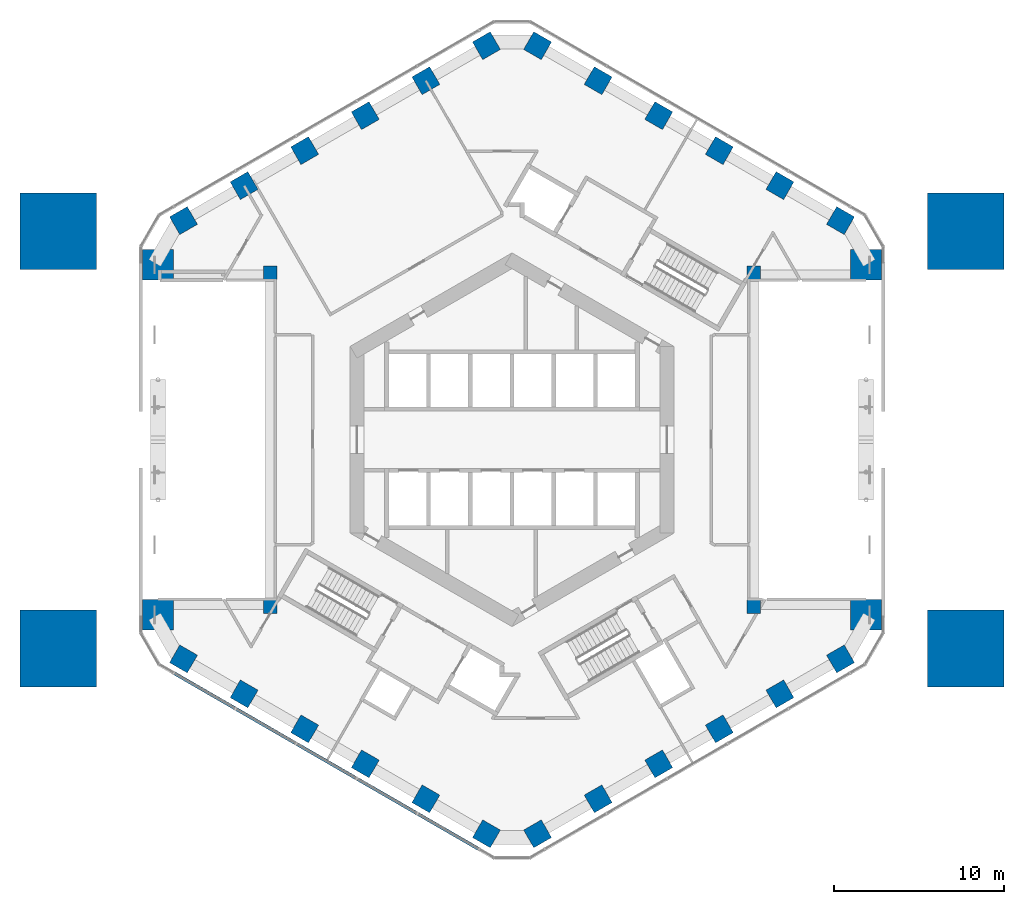
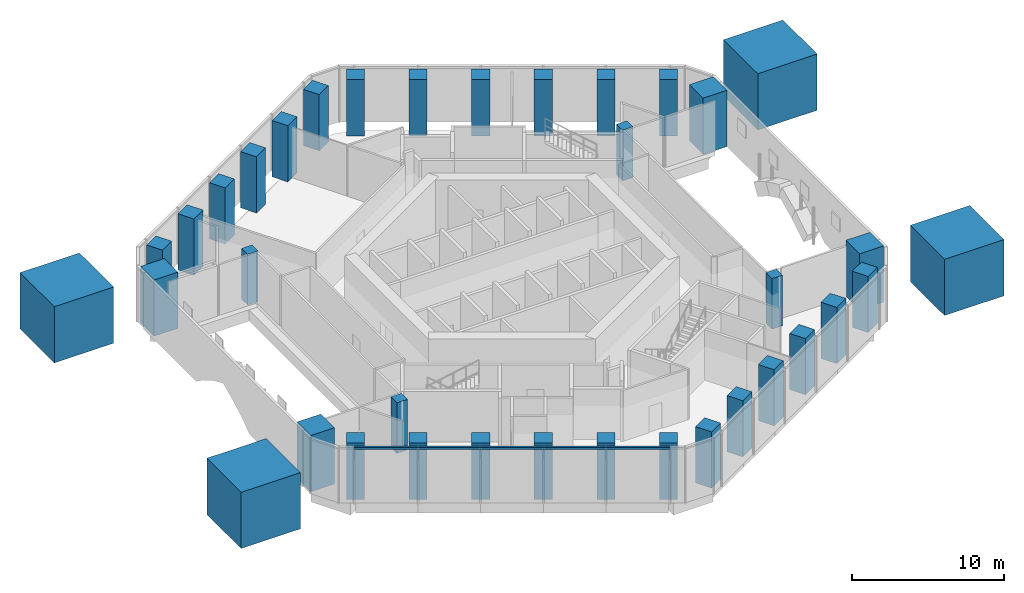
# One storey, part 1 of 14: 36 columns, 1 member, 1 element without a shape of its own.
"""IFC4 building model written with IfcOpenShell, lengths in metres."""

from ifc_helpers import new_model, si_unit, direction, frame, origin, origin_2d, place, context, subcontext, project, spatial, rectangle, extrude, material, layer, layer_set, material_profile, profile_set, type_object, element, aggregate, save


model = new_model("IFC4")

# Units and contexts
model_context = context("Model", 3, precision=1e-05, world=origin(), true_north=direction((0.0, 1.0)))
body_context = subcontext(model_context, "Body", "Model", "MODEL_VIEW")
ifc_project = project(units=[si_unit("LENGTHUNIT", "METRE"), si_unit("AREAUNIT", "SQUARE_METRE"), si_unit("VOLUMEUNIT", "CUBIC_METRE"), si_unit("PLANEANGLEUNIT", "RADIAN"), si_unit("MASSUNIT", "GRAM", prefix="KILO")], contexts=[model_context])

# Site, building, storey
site_placement = place(None, origin())
site = spatial("IfcSite", under=ifc_project, at=site_placement, CompositionType="ELEMENT")
building_placement = place(site_placement, origin())
building = spatial("IfcBuilding", under=site, at=building_placement, Name="Ayvan Gate Tower", CompositionType="ELEMENT")
storey_placement = place(building_placement, frame((0.0, 0.0, 16.0)))
storey = spatial("IfcBuildingStorey", under=building, at=storey_placement, Name="L03", CompositionType="ELEMENT", Elevation=16.0)

# Columns
ifc_material_1 = material(Name="Concrete C70/85", Category="concrete")
ifc_material_profile_1 = material_profile(ifc_material_1, rectangle(XDim=0.800048828125, YDim=0.800048828125, at=origin_2d()), Name="RC 800x800")
ifc_profile_set_1 = profile_set([ifc_material_profile_1], Name="Concrete C70/85")
column_type_1 = type_object("IfcColumnType", Name="Opening jamb column RC 800x800 C70/85", PredefinedType="COLUMN", material=ifc_profile_set_1)
for number, where, z_axis, x_axis, name in (
    (1, (14.199951171875, -9.7978515625, 0.0), (0.0, 0.0, 1.0), (1.0, 0.0, 0.0), "JC-L03-0-A"),
    (2, (14.199951171875, 9.7978515625, 0.0), (0.0, 0.0, 1.0), (1.0, 0.0, 0.0), "JC-L03-0-B"),
    (3, (-14.199951171875, 9.7978515625, 0.0), (0.0, 0.0, 1.0), (-1.0, 0.0, 0.0), "JC-L03-3-A"),
    (4, (-14.199951171875, -9.7978515625, 0.0), (0.0, 0.0, 1.0), (-1.0, 0.0, 0.0), "JC-L03-3-B"),
):
    element("IfcColumn", number, at=place(storey_placement, frame(where, z_axis=z_axis, x_axis=x_axis)), inside=storey, type_object=column_type_1, Name=name, PredefinedType="COLUMN", context=body_context, shape_type="SweptSolid", body=[
        extrude(rectangle(XDim=0.800048828125, YDim=0.800048828125, at=origin_2d()), origin(), (0.0, 0.0, 1.0), 4.050048828125),
    ])
ifc_material_2 = material(Name="Concrete C60/75", Category="concrete")
ifc_material_profile_2 = material_profile(ifc_material_2, rectangle(XDim=4.5, YDim=4.5, at=origin_2d()), Name="RC 4500x4500")
ifc_profile_set_2 = profile_set([ifc_material_profile_2], Name="Concrete C60/75")
column_type_2 = type_object("IfcColumnType", Name="Portal pier RC 4500x4500 C60/75", PredefinedType="COLUMN", material=ifc_profile_set_2)
for number, where, z_axis, x_axis, name in (
    (5, (26.634521484375, 12.25, 0.0), (0.0, 0.0, 1.0), (1.0, 0.0, 0.0), "Portal pier PP-E-N L03"),
    (6, (26.634521484375, -12.25, 0.0), (0.0, 0.0, 1.0), (1.0, 0.0, 0.0), "Portal pier PP-E-S L03"),
    (7, (-26.634521484375, -12.25, 0.0), (0.0, 0.0, 1.0), (-1.0, 0.0, 0.0), "Portal pier PP-W-S L03"),
    (8, (-26.634521484375, 12.25, 0.0), (0.0, 0.0, 1.0), (-1.0, 0.0, 0.0), "Portal pier PP-W-N L03"),
):
    element("IfcColumn", number, at=place(storey_placement, frame(where, z_axis=z_axis, x_axis=x_axis)), inside=storey, type_object=column_type_2, Name=name, PredefinedType="COLUMN", context=body_context, shape_type="SweptSolid", body=[
        extrude(rectangle(XDim=4.5, YDim=4.5, at=origin_2d()), origin(), (0.0, 0.0, 1.0), 4.5),
    ])
ifc_material_profile_3 = material_profile(ifc_material_1, rectangle(XDim=1.199951171875, YDim=1.199951171875, at=origin_2d()), Name="RC 1200x1200")
ifc_profile_set_3 = profile_set([ifc_material_profile_3], Name="Concrete C70/85")
column_type_3 = type_object("IfcColumnType", Name="Tube column RC 1200x1200 C70/85", PredefinedType="COLUMN", material=ifc_profile_set_3)
for number, where, z_axis, x_axis, name in (
    (9, (19.28466796875, 12.865966796875, 0.0), (0.0, 0.0, 1.0), (0.5, 0.866025403784, 0.0), "C-T1-0-L03"),
    (10, (15.727783203125, 14.919677734375, 0.0), (0.0, 0.0, 1.0), (0.5, 0.866025403784, 0.0), "C-T1-1-L03"),
    (11, (12.170654296875, 16.97314453125, 0.0), (0.0, 0.0, 1.0), (0.5, 0.866025403784, 0.0), "C-T1-2-L03"),
    (12, (8.61376953125, 19.02685546875, 0.0), (0.0, 0.0, 1.0), (0.5, 0.866025403784, 0.0), "C-T1-3-L03"),
    (13, (5.056884765625, 21.080322265625, 0.0), (0.0, 0.0, 1.0), (0.5, 0.866025403784, 0.0), "C-T1-4-L03"),
    (14, (1.5, 23.134033203125, 0.0), (0.0, 0.0, 1.0), (0.5, 0.866025403784, 0.0), "C-T1-5-L03"),
    (15, (-1.5, 23.134033203125, 0.0), (0.0, 0.0, 1.0), (-0.5, 0.866025403784, 0.0), "C-T2-0-L03"),
    (16, (-5.056884765625, 21.080322265625, 0.0), (0.0, 0.0, 1.0), (-0.5, 0.866025403784, 0.0), "C-T2-1-L03"),
    (17, (-8.61376953125, 19.02685546875, 0.0), (0.0, 0.0, 1.0), (-0.5, 0.866025403784, 0.0), "C-T2-2-L03"),
    (18, (-12.170654296875, 16.97314453125, 0.0), (0.0, 0.0, 1.0), (-0.5, 0.866025403784, 0.0), "C-T2-3-L03"),
    (19, (-15.727783203125, 14.919677734375, 0.0), (0.0, 0.0, 1.0), (-0.5, 0.866025403784, 0.0), "C-T2-4-L03"),
    (20, (-19.28466796875, 12.865966796875, 0.0), (0.0, 0.0, 1.0), (-0.5, 0.866025403784, 0.0), "C-T2-5-L03"),
    (21, (-19.28466796875, -12.865966796875, 0.0), (0.0, 0.0, 1.0), (-0.5, -0.866025403784, 0.0), "C-T4-0-L03"),
    (22, (-15.727783203125, -14.919677734375, 0.0), (0.0, 0.0, 1.0), (-0.5, -0.866025403784, 0.0), "C-T4-1-L03"),
    (23, (-12.170654296875, -16.97314453125, 0.0), (0.0, 0.0, 1.0), (-0.5, -0.866025403784, 0.0), "C-T4-2-L03"),
    (24, (-8.61376953125, -19.02685546875, 0.0), (0.0, 0.0, 1.0), (-0.5, -0.866025403784, 0.0), "C-T4-3-L03"),
    (25, (-5.056884765625, -21.080322265625, 0.0), (0.0, 0.0, 1.0), (-0.5, -0.866025403784, 0.0), "C-T4-4-L03"),
    (26, (-1.5, -23.134033203125, 0.0), (0.0, 0.0, 1.0), (-0.5, -0.866025403784, 0.0), "C-T4-5-L03"),
    (27, (1.5, -23.134033203125, 0.0), (0.0, 0.0, 1.0), (0.5, -0.866025403784, 0.0), "C-T5-0-L03"),
    (28, (5.056884765625, -21.080322265625, 0.0), (0.0, 0.0, 1.0), (0.5, -0.866025403784, 0.0), "C-T5-1-L03"),
    (29, (8.61376953125, -19.02685546875, 0.0), (0.0, 0.0, 1.0), (0.5, -0.866025403784, 0.0), "C-T5-2-L03"),
    (30, (12.170654296875, -16.97314453125, 0.0), (0.0, 0.0, 1.0), (0.5, -0.866025403784, 0.0), "C-T5-3-L03"),
    (31, (15.727783203125, -14.919677734375, 0.0), (0.0, 0.0, 1.0), (0.5, -0.866025403784, 0.0), "C-T5-4-L03"),
    (32, (19.28466796875, -12.865966796875, 0.0), (0.0, 0.0, 1.0), (0.5, -0.866025403784, 0.0), "C-T5-5-L03"),
):
    element("IfcColumn", number, at=place(storey_placement, frame(where, z_axis=z_axis, x_axis=x_axis)), inside=storey, type_object=column_type_3, Name=name, PredefinedType="COLUMN", context=body_context, shape_type="SweptSolid", body=[
        extrude(rectangle(XDim=1.199951171875, YDim=1.199951171875, at=origin_2d()), origin(), (0.0, 0.0, 1.0), 4.5),
    ])
ifc_material_profile_4 = material_profile(ifc_material_1, rectangle(XDim=1.800048828125, YDim=1.800048828125, at=origin_2d()), Name="RC 1800x1800")
ifc_profile_set_4 = profile_set([ifc_material_profile_4], Name="Concrete C70/85")
column_type_4 = type_object("IfcColumnType", Name="Tube column RC 1800x1800 C70/85", PredefinedType="COLUMN", material=ifc_profile_set_4)
for number, where, z_axis, x_axis, name in (
    (33, (20.78466796875, -10.26806640625, 0.0), (0.0, 0.0, 1.0), (1.0, 0.0, 0.0), "C-T0-0-L03"),
    (34, (20.78466796875, 10.26806640625, 0.0), (0.0, 0.0, 1.0), (1.0, 0.0, 0.0), "C-T0-5-L03"),
    (35, (-20.78466796875, 10.26806640625, 0.0), (0.0, 0.0, 1.0), (-1.0, 0.0, 0.0), "C-T3-0-L03"),
    (36, (-20.78466796875, -10.26806640625, 0.0), (0.0, 0.0, 1.0), (-1.0, 0.0, 0.0), "C-T3-5-L03"),
):
    element("IfcColumn", number, at=place(storey_placement, frame(where, z_axis=z_axis, x_axis=x_axis)), inside=storey, type_object=column_type_4, Name=name, PredefinedType="COLUMN", context=body_context, shape_type="SweptSolid", body=[
        extrude(rectangle(XDim=1.800048828125, YDim=1.800048828125, at=origin_2d()), origin(), (0.0, 0.0, 1.0), 4.5),
    ])

# Curtain wall, member
ifc_material_3 = material(Name="Bronze anodised aluminium", Category="aluminium")
ifc_layer = layer(ifc_material_3, 0.199951171875)
ifc_layer_set = layer_set([ifc_layer], Name="Bronze anodised aluminium")
curtain_wall_type = type_object("IfcCurtainWallType", Name="Stick curtain wall CW-3", PredefinedType="NOTDEFINED", material=ifc_layer_set)
curtain_wall_placement = place(storey_placement, origin())
curtain_wall = element("IfcCurtainWall", 37, at=curtain_wall_placement, inside=storey, type_object=curtain_wall_type, Name="Stick curtain wall CW-3 L03", PredefinedType="NOTDEFINED")
ifc_material_profile_5 = material_profile(ifc_material_3, rectangle(XDim=0.199951171875, YDim=0.159912109375, at=origin_2d()), Name="Stick curtain wall CW-3 transom 200 x 160")
ifc_profile_set_5 = profile_set([ifc_material_profile_5], Name="Bronze anodised aluminium")
member_type = type_object("IfcMemberType", Name="Stick curtain wall CW-3 transom 200 x 160", PredefinedType="USERDEFINED", material=ifc_profile_set_5)
member_placement = place(storey_placement, frame((-19.855224609375, -13.691162109375, 4.419921875), z_axis=(0.866025115303, -0.500000499665, 0.0), x_axis=(0.500000499665, 0.866025115303, 0.0)))
member = element("IfcMember", 38, at=member_placement, type_object=member_type, Name="CW-3 transom 1", ObjectType="TRANSOM", PredefinedType="USERDEFINED", context=body_context, shape_type="SweptSolid", body=[
    extrude(rectangle(XDim=0.199951171875, YDim=0.159912109375, at=origin_2d()), origin(), (0.0, 0.0, 1.0), 20.69921875),
])
aggregate(curtain_wall, [member])

save(model, "model.ifc")
